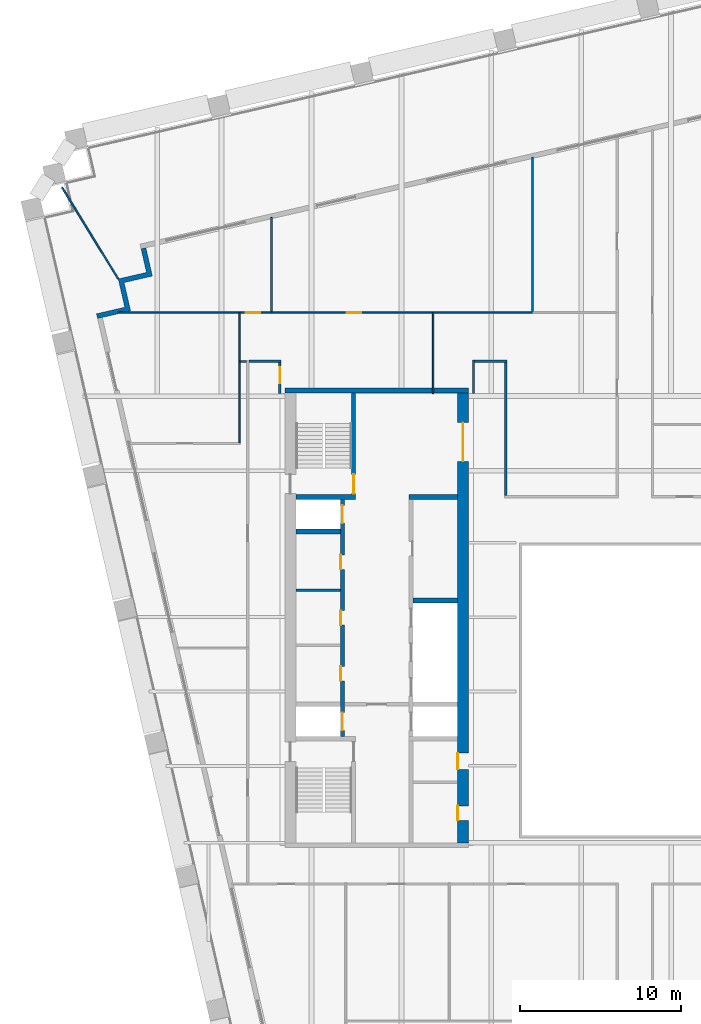
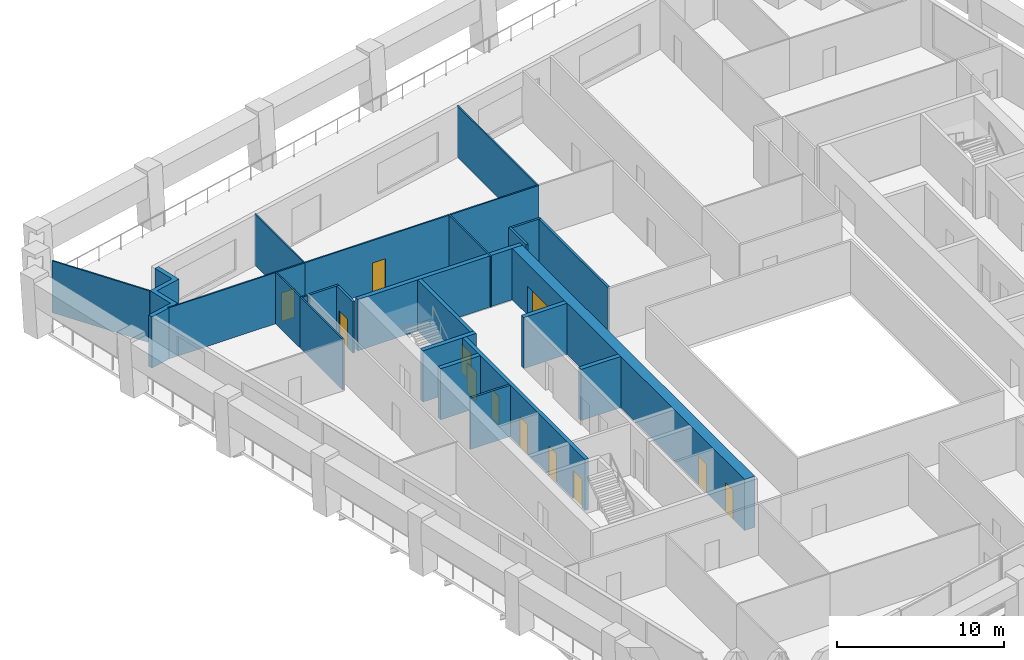
# One storey, part 9 of 14: 26 walls, 12 doors, 12 openings.
"""IFC4 building model written with IfcOpenShell, lengths in metres."""

from ifc_helpers import new_model, si_unit, direction, frame, frame_2d, origin, place, context, subcontext, project, spatial, polyline, rectangle, outline, extrude, material, layer, layer_set, type_object, element, fill, save


model = new_model("IFC4")

# Units and contexts
model_context = context("Model", 3, precision=1e-05, world=origin(), true_north=direction((0.0, 1.0)))
body_context = subcontext(model_context, "Body", "Model", "MODEL_VIEW")
ifc_project = project(units=[si_unit("LENGTHUNIT", "METRE"), si_unit("AREAUNIT", "SQUARE_METRE"), si_unit("VOLUMEUNIT", "CUBIC_METRE"), si_unit("PLANEANGLEUNIT", "RADIAN"), si_unit("MASSUNIT", "GRAM", prefix="KILO")], contexts=[model_context])

# Site, building, storey
site_placement = place(None, origin())
site = spatial("IfcSite", under=ifc_project, at=site_placement, CompositionType="ELEMENT")
building_placement = place(site_placement, origin())
building = spatial("IfcBuilding", under=site, at=building_placement, Name="Ogive Exchange Tower", CompositionType="ELEMENT")
storey_placement = place(building_placement, frame((0.0, 0.0, 222.0)))
storey = spatial("IfcBuildingStorey", under=building, at=storey_placement, Name="L49", CompositionType="ELEMENT", Elevation=222.0)

# Walls
ifc_material_1 = material(Name="Gypsum board partition")
ifc_layer_1 = layer(ifc_material_1, 0.14990234375)
ifc_layer_set_1 = layer_set([ifc_layer_1], Name="Core room partition 150 gypsum")
wall_type_1 = type_object("IfcWallType", Name="Core room partition 150 gypsum", PredefinedType="PARTITIONING", material=ifc_layer_set_1)
wall_1_placement = place(storey_placement, frame((-21.0, 13.199951171875, 0.0), z_axis=(0.0, 0.0, 1.0), x_axis=(1.0, 0.0, 0.0)))
element("IfcWall", 1, at=wall_1_placement, inside=storey, type_object=wall_type_1, Name="W row A bay partition 1-2", PredefinedType="PARTITIONING", context=body_context, shape_type="SweptSolid", body=[
    extrude(rectangle(XDim=2.75, YDim=0.14990234375, at=frame_2d((1.375, 0.0))), origin(), (0.0, 0.0, 1.0), 3.75),
])
ifc_layer_2 = layer(ifc_material_1, 0.300048828125)
ifc_layer_set_2 = layer_set([ifc_layer_2], Name="Core room partition 300 gypsum")
wall_type_2 = type_object("IfcWallType", Name="Core room partition 300 gypsum", PredefinedType="PARTITIONING", material=ifc_layer_set_2)
wall_2_placement = place(storey_placement, frame((-14.0, 19.0, 0.0), z_axis=(0.0, 0.0, 1.0), x_axis=(1.0, 0.0, 0.0)))
element("IfcWall", 2, at=wall_2_placement, inside=storey, type_object=wall_type_2, Name="W row B room end wall 7", PredefinedType="PARTITIONING", context=body_context, shape_type="SweptSolid", body=[
    extrude(rectangle(XDim=3.0, YDim=0.300048828125, at=frame_2d((1.5, 0.0))), origin(), (0.0, 0.0, 1.0), 3.75),
])
ifc_material_2 = material(Name="Fire partition EI 60 150")
ifc_layer_3 = layer(ifc_material_2, 0.14990234375)
ifc_layer_set_3 = layer_set([ifc_layer_3], Name="Fire partition EI 60 150")
wall_type_3 = type_object("IfcWallType", Name="Fire partition EI 60 150", PredefinedType="PARTITIONING", material=ifc_layer_set_3)
wall_3_placement = place(storey_placement, frame((-23.925048828125, 27.39990234375, 0.0), z_axis=(0.0, 0.0, 1.0), x_axis=(1.0, 0.0, 0.0)))
element("IfcWall", 3, at=wall_3_placement, inside=storey, type_object=wall_type_3, Name="L49-PWL-010", PredefinedType="PARTITIONING", context=body_context, shape_type="SweptSolid", body=[
    extrude(rectangle(XDim=2.0, YDim=0.14990234375, at=frame_2d((1.0, 0.0))), origin(), (0.0, 0.0, 1.0), 3.75),
])

# Wall, opening, door
wall_4_placement = place(storey_placement, frame((-22.0, 27.324951171875, 0.0), z_axis=(0.0, 0.0, 1.0), x_axis=(0.0, -1.0, 0.0)))
wall_4 = element("IfcWall", 4, at=wall_4_placement, inside=storey, type_object=wall_type_3, Name="L49-PWL-013", PredefinedType="PARTITIONING", context=body_context, shape_type="SweptSolid", body=[
    extrude(rectangle(XDim=1.925048828125, YDim=0.14990234375, at=frame_2d((0.96240234375, 0.0))), origin(), (0.0, 0.0, 1.0), 3.75),
])
opening_1_placement = place(wall_4_placement, frame((0.27490234375, 0.0, 0.0)))
opening_1 = element("IfcOpeningElement", 5, at=opening_1_placement, cuts=wall_4, Name="Opening L49-I06", PredefinedType="OPENING", context=body_context, shape_type="SweptSolid", body=[
    extrude(rectangle(XDim=1.0, YDim=2.10009765625, at=frame_2d((0.5, 1.050048828125))), frame((0.0, 0.0849609375, 0.0), z_axis=(0.0, -1.0, 0.0), x_axis=(1.0, 0.0, 0.0)), (0.0, 0.0, 1.0), 0.169921875),
])
ifc_material_3 = material(Name="Fire door FD 30S 1000 x 2100")
door_type_1 = type_object("IfcDoorType", Name="Fire door FD 30S 1000 x 2100", OperationType="NOTDEFINED", PredefinedType="DOOR", material=ifc_material_3)
door_1_placement = place(opening_1_placement, origin())
door_1 = element("IfcDoor", 6, at=door_1_placement, inside=storey, type_object=door_type_1, Name="L49-IDR-006", ObjectType="DT3", OperationType="SINGLE_SWING_RIGHT", OverallHeight=2.10009765625, OverallWidth=1.0, PredefinedType="DOOR", context=body_context, shape_type="SweptSolid", body=[
    extrude(rectangle(XDim=1.0, YDim=2.10009765625, at=frame_2d((0.5, 1.050048828125))), frame((0.0, 0.02490234375, 0.0), z_axis=(0.0, -1.0, 0.0), x_axis=(1.0, 0.0, 0.0)), (0.0, 0.0, 1.0), 0.050048828125),
])
fill(opening_1, door_1)

# Walls
wall_5_placement = place(storey_placement, frame((-10.0, 25.39990234375, 0.0), z_axis=(0.0, 0.0, 1.0), x_axis=(0.0, 1.0, 0.0)))
element("IfcWall", 7, at=wall_5_placement, inside=storey, type_object=wall_type_3, Name="L49-PWL-024", PredefinedType="PARTITIONING", context=body_context, shape_type="SweptSolid", body=[
    extrude(rectangle(XDim=2.0751953125, YDim=0.14990234375, at=frame_2d((1.03759765625, 0.0))), origin(), (0.0, 0.0, 1.0), 3.75),
])
wall_6_placement = place(storey_placement, frame((-9.925048828125, 27.39990234375, 0.0), z_axis=(0.0, 0.0, 1.0), x_axis=(1.0, 0.0, 0.0)))
element("IfcWall", 8, at=wall_6_placement, inside=storey, type_object=wall_type_3, Name="L49-PWL-025", PredefinedType="PARTITIONING", context=body_context, shape_type="SweptSolid", body=[
    extrude(rectangle(XDim=2.0, YDim=0.14990234375, at=frame_2d((1.0, 0.0))), origin(), (0.0, 0.0, 1.0), 3.75),
])
wall_7_placement = place(storey_placement, frame((-8.0, 27.324951171875, 0.0), z_axis=(0.0, 0.0, 1.0), x_axis=(0.0, -1.0, 0.0)))
element("IfcWall", 9, at=wall_7_placement, inside=storey, type_object=wall_type_3, Name="L49-PWL-027", PredefinedType="PARTITIONING", context=body_context, shape_type="SweptSolid", body=[
    extrude(rectangle(XDim=8.25, YDim=0.14990234375, at=frame_2d((4.125, 0.0))), origin(), (0.0, 0.0, 1.0), 3.75),
])
ifc_material_4 = material(Name="Precast concrete C40/50", Category="concrete")
ifc_layer_4 = layer(ifc_material_4, 0.300048828125)
ifc_layer_set_4 = layer_set([ifc_layer_4], Name="Limestone-faced wall 300")
wall_type_4 = type_object("IfcWallType", Name="Limestone-faced wall 300", PredefinedType="STANDARD", material=ifc_layer_set_4)
wall_8_placement = place(storey_placement, origin())
element("IfcWall", 10, at=wall_8_placement, inside=storey, type_object=wall_type_4, Name="External corner wall C3", PredefinedType="STANDARD", context=body_context, shape_type="SweptSolid", body=[
    extrude(outline(polyline([(-31.616943359375, 30.755615234375), (-32.02197265625, 32.509521484375), (-30.26806640625, 32.914306640625), (-30.60546875, 34.3759765625), (-30.31298828125, 34.443359375), (-29.908203125, 32.689697265625), (-31.662109375, 32.28466796875), (-31.257080078125, 30.53076171875), (-33.30322265625, 30.058349609375), (-33.370849609375, 30.3505859375), (-31.616943359375, 30.755615234375)])), origin(), (0.0, 0.0, 1.0), 3.75),
])
ifc_material_5 = material(Name="Laminated safety glass in steel frame", Category="steel")
ifc_layer_5 = layer(ifc_material_5, 0.10009765625)
ifc_layer_set_5 = layer_set([ifc_layer_5], Name="Loggia end screen 100")
wall_type_5 = type_object("IfcWallType", Name="Loggia end screen 100", PredefinedType="STANDARD", material=ifc_layer_set_5)
wall_9_placement = place(storey_placement, frame((-32.02197265625, 32.509521484375, -0.050048828125), z_axis=(0.0, 0.0, 1.0), x_axis=(-0.523700799975, 0.851902266757, 0.0)))
element("IfcWall", 11, at=wall_9_placement, inside=storey, type_object=wall_type_5, Name="Loggia end screen C3", PredefinedType="STANDARD", context=body_context, shape_type="SweptSolid", body=[
    extrude(rectangle(XDim=6.66357421875, YDim=0.10009765625, at=frame_2d((3.331787109375, 0.0))), origin(), (0.0, 0.0, 1.0), 3.800048828125),
])
ifc_material_6 = material(Name="Partition 100 gypsum")
ifc_layer_6 = layer(ifc_material_6, 0.10009765625)
ifc_layer_set_6 = layer_set([ifc_layer_6], Name="Partition 100 gypsum")
wall_type_6 = type_object("IfcWallType", Name="Partition 100 gypsum", PredefinedType="PARTITIONING", material=ifc_layer_set_6)
wall_10_placement = place(storey_placement, frame((-24.5, 22.360107421875, 0.0), z_axis=(0.0, 0.0, 1.0), x_axis=(0.0, 1.0, 0.0)))
element("IfcWall", 12, at=wall_10_placement, inside=storey, type_object=wall_type_6, Name="L49-PWL-003", PredefinedType="PARTITIONING", context=body_context, shape_type="SweptSolid", body=[
    extrude(rectangle(XDim=5.079833984375, YDim=0.10009765625, at=frame_2d((2.5400390625, 0.0))), origin(), (0.0, 0.0, 1.0), 3.75),
])
wall_11_placement = place(storey_placement, frame((-24.5, 27.43994140625, 0.0), z_axis=(0.0, 0.0, 1.0), x_axis=(0.0, 1.0, 0.0)))
element("IfcWall", 13, at=wall_11_placement, inside=storey, type_object=wall_type_6, Name="L49-PWL-004", PredefinedType="PARTITIONING", context=body_context, shape_type="SweptSolid", body=[
    extrude(rectangle(XDim=3.030029296875, YDim=0.10009765625, at=frame_2d((1.51513671875, 0.0))), origin(), (0.0, 0.0, 1.0), 3.75),
])
wall_12_placement = place(storey_placement, frame((-24.550048828125, 30.419921875, 0.0), z_axis=(0.0, 0.0, 1.0), x_axis=(-1.0, 0.0, 0.0)))
element("IfcWall", 14, at=wall_12_placement, inside=storey, type_object=wall_type_6, Name="L49-PWL-005", PredefinedType="PARTITIONING", context=body_context, shape_type="SweptSolid", body=[
    extrude(rectangle(XDim=7.431884765625, YDim=0.10009765625, at=frame_2d((3.7158203125, 0.0))), origin(), (0.0, 0.0, 1.0), 3.75),
])
wall_13_placement = place(storey_placement, frame((-24.074951171875, 27.389892578125, 0.0), z_axis=(0.0, 0.0, 1.0), x_axis=(-1.0, 0.0, 0.0)))
element("IfcWall", 15, at=wall_13_placement, inside=storey, type_object=wall_type_6, Name="L49-PWL-009", PredefinedType="PARTITIONING", context=body_context, shape_type="SweptSolid", body=[
    extrude(rectangle(XDim=0.375, YDim=0.10009765625, at=frame_2d((0.1875, 0.0))), origin(), (0.0, 0.0, 1.0), 3.75),
])

# Wall, opening, door
wall_14_placement = place(storey_placement, frame((-22.52001953125, 30.419921875, 0.0), z_axis=(0.0, 0.0, 1.0), x_axis=(-1.0, 0.0, 0.0)))
wall_14 = element("IfcWall", 16, at=wall_14_placement, inside=storey, type_object=wall_type_6, Name="L49-PWL-011", PredefinedType="PARTITIONING", context=body_context, shape_type="SweptSolid", body=[
    extrude(rectangle(XDim=1.929931640625, YDim=0.10009765625, at=frame_2d((0.96484375, 0.0))), origin(), (0.0, 0.0, 1.0), 3.75),
])
opening_2_placement = place(wall_14_placement, frame((0.699951171875, 0.0, 0.0)))
opening_2 = element("IfcOpeningElement", 17, at=opening_2_placement, cuts=wall_14, Name="Opening L49-I03", PredefinedType="OPENING", context=body_context, shape_type="SweptSolid", body=[
    extrude(rectangle(XDim=0.89990234375, YDim=2.10009765625, at=frame_2d((0.449951171875, 1.050048828125))), frame((0.0, 0.06005859375, 0.0), z_axis=(0.0, -1.0, 0.0), x_axis=(1.0, 0.0, 0.0)), (0.0, 0.0, 1.0), 0.1201171875),
])
ifc_material_7 = material(Name="Door 900 x 2100")
door_type_2 = type_object("IfcDoorType", Name="Door 900 x 2100", OperationType="NOTDEFINED", PredefinedType="DOOR", material=ifc_material_7)
door_2_placement = place(opening_2_placement, frame((0.89990234375, 0.0, 0.0), z_axis=(0.0, 0.0, 1.0), x_axis=(-1.0, 0.0, 0.0)))
door_2 = element("IfcDoor", 18, at=door_2_placement, inside=storey, type_object=door_type_2, Name="L49-IDR-003", ObjectType="DT1", OperationType="SINGLE_SWING_LEFT", OverallHeight=2.10009765625, OverallWidth=0.89990234375, PredefinedType="DOOR", context=body_context, shape_type="SweptSolid", body=[
    extrude(rectangle(XDim=0.89990234375, YDim=2.10009765625, at=frame_2d((0.449951171875, 1.050048828125))), frame((0.0, 0.02490234375, 0.0), z_axis=(0.0, -1.0, 0.0), x_axis=(1.0, 0.0, 0.0)), (0.0, 0.0, 1.0), 0.050048828125),
])
fill(opening_2, door_2)

# Walls
wall_15_placement = place(storey_placement, frame((-22.52001953125, 30.469970703125, 0.0), z_axis=(0.0, 0.0, 1.0), x_axis=(0.0, 1.0, 0.0)))
element("IfcWall", 19, at=wall_15_placement, inside=storey, type_object=wall_type_6, Name="L49-PWL-012", PredefinedType="PARTITIONING", context=body_context, shape_type="SweptSolid", body=[
    extrude(rectangle(XDim=5.85498046875, YDim=0.10009765625, at=frame_2d((2.927490234375, 0.0))), origin(), (0.0, 0.0, 1.0), 3.75),
])
wall_16_placement = place(storey_placement, frame((-12.5, 25.39990234375, 0.0), z_axis=(0.0, 0.0, 1.0), x_axis=(0.0, 1.0, 0.0)))
element("IfcWall", 20, at=wall_16_placement, inside=storey, type_object=wall_type_6, Name="L49-PWL-018", PredefinedType="PARTITIONING", context=body_context, shape_type="SweptSolid", body=[
    extrude(rectangle(XDim=5.070068359375, YDim=0.10009765625, at=frame_2d((2.53515625, 0.0))), origin(), (0.0, 0.0, 1.0), 3.75),
])

# Wall, opening, door
wall_17_placement = place(storey_placement, frame((-12.550048828125, 30.419921875, 0.0), z_axis=(0.0, 0.0, 1.0), x_axis=(-1.0, 0.0, 0.0)))
wall_17 = element("IfcWall", 21, at=wall_17_placement, inside=storey, type_object=wall_type_6, Name="L49-PWL-019", PredefinedType="PARTITIONING", context=body_context, shape_type="SweptSolid", body=[
    extrude(rectangle(XDim=9.969970703125, YDim=0.10009765625, at=frame_2d((4.98486328125, 0.0))), origin(), (0.0, 0.0, 1.0), 3.75),
])
opening_3_placement = place(wall_17_placement, frame((4.39990234375, 0.0, 0.0)))
opening_3 = element("IfcOpeningElement", 22, at=opening_3_placement, cuts=wall_17, Name="Opening L49-I02", PredefinedType="OPENING", context=body_context, shape_type="SweptSolid", body=[
    extrude(rectangle(XDim=0.89990234375, YDim=2.10009765625, at=frame_2d((0.449951171875, 1.050048828125))), frame((0.0, 0.06005859375, 0.0), z_axis=(0.0, -1.0, 0.0), x_axis=(1.0, 0.0, 0.0)), (0.0, 0.0, 1.0), 0.1201171875),
])
door_3_placement = place(opening_3_placement, origin())
door_3 = element("IfcDoor", 23, at=door_3_placement, inside=storey, type_object=door_type_2, Name="L49-IDR-002", ObjectType="DT1", OperationType="SINGLE_SWING_RIGHT", OverallHeight=2.10009765625, OverallWidth=0.89990234375, PredefinedType="DOOR", context=body_context, shape_type="SweptSolid", body=[
    extrude(rectangle(XDim=0.89990234375, YDim=2.10009765625, at=frame_2d((0.449951171875, 1.050048828125))), frame((0.0, 0.02490234375, 0.0), z_axis=(0.0, -1.0, 0.0), x_axis=(1.0, 0.0, 0.0)), (0.0, 0.0, 1.0), 0.050048828125),
])
fill(opening_3, door_3)

# Walls
wall_18_placement = place(storey_placement, frame((-6.2900390625, 30.419921875, 0.0), z_axis=(0.0, 0.0, 1.0), x_axis=(-1.0, 0.0, 0.0)))
element("IfcWall", 24, at=wall_18_placement, inside=storey, type_object=wall_type_6, Name="L49-PWL-028", PredefinedType="PARTITIONING", context=body_context, shape_type="SweptSolid", body=[
    extrude(rectangle(XDim=6.159912109375, YDim=0.10009765625, at=frame_2d((3.080078125, 0.0))), origin(), (0.0, 0.0, 1.0), 3.75),
])
wall_19_placement = place(storey_placement, frame((-6.340087890625, 30.469970703125, 0.0), z_axis=(0.0, 0.0, 1.0), x_axis=(0.0, 1.0, 0.0)))
element("IfcWall", 25, at=wall_19_placement, inside=storey, type_object=wall_type_6, Name="L49-PWL-029", PredefinedType="PARTITIONING", context=body_context, shape_type="SweptSolid", body=[
    extrude(rectangle(XDim=9.591064453125, YDim=0.10009765625, at=frame_2d((4.79541015625, 0.0))), origin(), (0.0, 0.0, 1.0), 3.75),
])

# Wall, opening, door
ifc_material_8 = material(Name="Concrete C70/85", Category="concrete")
ifc_layer_7 = layer(ifc_material_8, 0.25)
ifc_layer_set_7 = layer_set([ifc_layer_7], Name="RC core wall 250 C70/85")
wall_type_7 = type_object("IfcWallType", Name="RC core wall 250 C70/85", PredefinedType="SHEAR", material=ifc_layer_set_7)
wall_20_placement = place(storey_placement, frame((-17.425048828125, 19.14990234375, 0.0), z_axis=(0.0, 0.0, 1.0), x_axis=(0.0, 1.0, 0.0)))
wall_20 = element("IfcWall", 26, at=wall_20_placement, inside=storey, type_object=wall_type_7, Name="W stair N front wall", PredefinedType="SHEAR", context=body_context, shape_type="SweptSolid", body=[
    extrude(rectangle(XDim=6.300048828125, YDim=0.25, at=frame_2d((3.14990234375, 0.0))), origin(), (0.0, 0.0, 1.0), 3.75),
])
opening_4_placement = place(wall_20_placement, frame((0.050048828125, 0.0, 0.0)))
opening_4 = element("IfcOpeningElement", 27, at=opening_4_placement, cuts=wall_20, Name="Opening L49-C15", PredefinedType="OPENING", context=body_context, shape_type="SweptSolid", body=[
    extrude(rectangle(XDim=1.199951171875, YDim=2.10009765625, at=frame_2d((0.60009765625, 1.050048828125))), frame((0.0, 0.135009765625, 0.0), z_axis=(0.0, -1.0, 0.0), x_axis=(1.0, 0.0, 0.0)), (0.0, 0.0, 1.0), 0.27001953125),
])
ifc_material_9 = material(Name="Steel fire door", Category="steel")
door_type_3 = type_object("IfcDoorType", Name="Stair door FD90 1200 x 2100", OperationType="NOTDEFINED", PredefinedType="DOOR", material=ifc_material_9)
door_4_placement = place(opening_4_placement, origin())
door_4 = element("IfcDoor", 28, at=door_4_placement, inside=storey, type_object=door_type_3, Name="Stair door", ObjectType="CD5", OperationType="SINGLE_SWING_RIGHT", OverallHeight=2.10009765625, OverallWidth=1.199951171875, PredefinedType="DOOR", context=body_context, shape_type="SweptSolid", body=[
    extrude(rectangle(XDim=1.199951171875, YDim=2.10009765625, at=frame_2d((0.60009765625, 1.050048828125))), frame((0.0, 0.02490234375, 0.0), z_axis=(0.0, -1.0, 0.0), x_axis=(1.0, 0.0, 0.0)), (0.0, 0.0, 1.0), 0.050048828125),
])
fill(opening_4, door_4)

# Wall, openings, doors
wall_21_placement = place(storey_placement, frame((-18.125, 4.14990234375, 0.0), z_axis=(0.0, 0.0, 1.0), x_axis=(0.0, 1.0, 0.0)))
wall_21 = element("IfcWall", 29, at=wall_21_placement, inside=storey, type_object=wall_type_7, Name="W row A front wall", PredefinedType="SHEAR", context=body_context, shape_type="SweptSolid", body=[
    extrude(rectangle(XDim=14.7001953125, YDim=0.25, at=frame_2d((7.35009765625, 0.0))), origin(), (0.0, 0.0, 1.0), 3.75),
])
opening_5_placement = place(wall_21_placement, frame((3.4462890625, 0.0, 0.0)))
opening_5 = element("IfcOpeningElement", 30, at=opening_5_placement, cuts=wall_21, Name="Opening L49-C01", PredefinedType="OPENING", context=body_context, shape_type="SweptSolid", body=[
    extrude(rectangle(XDim=0.89990234375, YDim=2.10009765625, at=frame_2d((0.449951171875, 1.050048828125))), frame((0.0, 0.135009765625, 0.0), z_axis=(0.0, -1.0, 0.0), x_axis=(1.0, 0.0, 0.0)), (0.0, 0.0, 1.0), 0.27001953125),
])
opening_6_placement = place(wall_21_placement, frame((6.89990234375, 0.0, 0.0)))
opening_6 = element("IfcOpeningElement", 31, at=opening_6_placement, cuts=wall_21, Name="Opening L49-C02", PredefinedType="OPENING", context=body_context, shape_type="SweptSolid", body=[
    extrude(rectangle(XDim=0.89990234375, YDim=2.10009765625, at=frame_2d((0.449951171875, 1.050048828125))), frame((0.0, 0.135009765625, 0.0), z_axis=(0.0, -1.0, 0.0), x_axis=(1.0, 0.0, 0.0)), (0.0, 0.0, 1.0), 0.27001953125),
])
opening_7_placement = place(wall_21_placement, frame((10.353515625, 0.0, 0.0)))
opening_7 = element("IfcOpeningElement", 32, at=opening_7_placement, cuts=wall_21, Name="Opening L49-C03", PredefinedType="OPENING", context=body_context, shape_type="SweptSolid", body=[
    extrude(rectangle(XDim=0.89990234375, YDim=2.10009765625, at=frame_2d((0.449951171875, 1.050048828125))), frame((0.0, 0.135009765625, 0.0), z_axis=(0.0, -1.0, 0.0), x_axis=(1.0, 0.0, 0.0)), (0.0, 0.0, 1.0), 0.27001953125),
])
opening_8_placement = place(wall_21_placement, frame((0.371337890625, 0.0, 0.0)))
opening_8 = element("IfcOpeningElement", 33, at=opening_8_placement, cuts=wall_21, Name="Opening L49-C04", PredefinedType="OPENING", context=body_context, shape_type="SweptSolid", body=[
    extrude(rectangle(XDim=1.10009765625, YDim=2.10009765625, at=frame_2d((0.550048828125, 1.050048828125))), frame((0.0, 0.135009765625, 0.0), z_axis=(0.0, -1.0, 0.0), x_axis=(1.0, 0.0, 0.0)), (0.0, 0.0, 1.0), 0.27001953125),
])
opening_9_placement = place(wall_21_placement, frame((13.228515625, 0.0, 0.0)))
opening_9 = element("IfcOpeningElement", 34, at=opening_9_placement, cuts=wall_21, Name="Opening L49-C05", PredefinedType="OPENING", context=body_context, shape_type="SweptSolid", body=[
    extrude(rectangle(XDim=1.10009765625, YDim=2.10009765625, at=frame_2d((0.550048828125, 1.050048828125))), frame((0.0, 0.135009765625, 0.0), z_axis=(0.0, -1.0, 0.0), x_axis=(1.0, 0.0, 0.0)), (0.0, 0.0, 1.0), 0.27001953125),
])
ifc_material_10 = material(Name="Timber fire door", Category="wood")
door_type_4 = type_object("IfcDoorType", Name="Core room door FD30S 900 x 2100", OperationType="NOTDEFINED", PredefinedType="DOOR", material=ifc_material_10)
door_5_placement = place(opening_7_placement, origin())
door_5 = element("IfcDoor", 35, at=door_5_placement, inside=storey, type_object=door_type_4, Name="Core room door", ObjectType="CD6", OperationType="SINGLE_SWING_RIGHT", OverallHeight=2.10009765625, OverallWidth=0.89990234375, PredefinedType="DOOR", context=body_context, shape_type="SweptSolid", body=[
    extrude(rectangle(XDim=0.89990234375, YDim=2.10009765625, at=frame_2d((0.449951171875, 1.050048828125))), frame((0.0, 0.125, 0.0), z_axis=(0.0, -1.0, 0.0), x_axis=(1.0, 0.0, 0.0)), (0.0, 0.0, 1.0), 0.050048828125),
])
fill(opening_7, door_5)
ifc_material_11 = material(Name="Stainless steel", Category="steel")
door_type_5 = type_object("IfcDoorType", Name="Lift landing door FD90 1100 x 2100", OperationType="SLIDING_TO_LEFT", PredefinedType="DOOR", material=ifc_material_11)
door_6_placement = place(opening_8_placement, origin())
door_6 = element("IfcDoor", 36, at=door_6_placement, inside=storey, type_object=door_type_5, Name="Lift landing door FF1", ObjectType="LD", OperationType="SLIDING_TO_LEFT", OverallHeight=2.10009765625, OverallWidth=1.10009765625, PredefinedType="DOOR", context=body_context, shape_type="SweptSolid", body=[
    extrude(rectangle(XDim=1.10009765625, YDim=2.10009765625, at=frame_2d((0.550048828125, 1.050048828125))), frame((0.0, 0.02490234375, 0.0), z_axis=(0.0, -1.0, 0.0), x_axis=(1.0, 0.0, 0.0)), (0.0, 0.0, 1.0), 0.050048828125),
])
fill(opening_8, door_6)
door_7_placement = place(opening_9_placement, origin())
door_7 = element("IfcDoor", 37, at=door_7_placement, inside=storey, type_object=door_type_5, Name="Lift landing door W-SH2", ObjectType="LD", OperationType="SLIDING_TO_LEFT", OverallHeight=2.10009765625, OverallWidth=1.10009765625, PredefinedType="DOOR", context=body_context, shape_type="SweptSolid", body=[
    extrude(rectangle(XDim=1.10009765625, YDim=2.10009765625, at=frame_2d((0.550048828125, 1.050048828125))), frame((0.0, 0.02490234375, 0.0), z_axis=(0.0, -1.0, 0.0), x_axis=(1.0, 0.0, 0.0)), (0.0, 0.0, 1.0), 0.050048828125),
])
fill(opening_9, door_7)
door_type_6 = type_object("IfcDoorType", Name="Riser door FD60 900 x 2100", OperationType="NOTDEFINED", PredefinedType="DOOR", material=ifc_material_9)
door_8_placement = place(opening_5_placement, origin())
door_8 = element("IfcDoor", 38, at=door_8_placement, inside=storey, type_object=door_type_6, Name="Riser door", ObjectType="CD2", OperationType="SINGLE_SWING_RIGHT", OverallHeight=2.10009765625, OverallWidth=0.89990234375, PredefinedType="DOOR", context=body_context, shape_type="SweptSolid", body=[
    extrude(rectangle(XDim=0.89990234375, YDim=2.10009765625, at=frame_2d((0.449951171875, 1.050048828125))), frame((0.0, 0.125, 0.0), z_axis=(0.0, -1.0, 0.0), x_axis=(1.0, 0.0, 0.0)), (0.0, 0.0, 1.0), 0.050048828125),
])
fill(opening_5, door_8)
door_9_placement = place(opening_6_placement, origin())
door_9 = element("IfcDoor", 39, at=door_9_placement, inside=storey, type_object=door_type_6, Name="Riser door", ObjectType="CD2", OperationType="SINGLE_SWING_RIGHT", OverallHeight=2.10009765625, OverallWidth=0.89990234375, PredefinedType="DOOR", context=body_context, shape_type="SweptSolid", body=[
    extrude(rectangle(XDim=0.89990234375, YDim=2.10009765625, at=frame_2d((0.449951171875, 1.050048828125))), frame((0.0, 0.125, 0.0), z_axis=(0.0, -1.0, 0.0), x_axis=(1.0, 0.0, 0.0)), (0.0, 0.0, 1.0), 0.050048828125),
])
fill(opening_6, door_9)

# Walls
ifc_layer_8 = layer(ifc_material_8, 0.300048828125)
ifc_layer_set_8 = layer_set([ifc_layer_8], Name="RC core wall 300 C70/85")
wall_type_8 = type_object("IfcWallType", Name="RC core wall 300 C70/85", PredefinedType="SHEAR", material=ifc_layer_set_8)
wall_22_placement = place(storey_placement, frame((-21.699951171875, 25.60009765625, 0.0), z_axis=(0.0, 0.0, 1.0), x_axis=(1.0, 0.0, 0.0)))
element("IfcWall", 40, at=wall_22_placement, inside=storey, type_object=wall_type_8, Name="W north end wall", PredefinedType="SHEAR", context=body_context, shape_type="SweptSolid", body=[
    extrude(rectangle(XDim=11.39990234375, YDim=0.300048828125, at=frame_2d((5.699951171875, 0.0))), origin(), (0.0, 0.0, 1.0), 3.75),
])
wall_23_placement = place(storey_placement, frame((-21.0, 19.0, 0.0), z_axis=(0.0, 0.0, 1.0), x_axis=(1.0, 0.0, 0.0)))
element("IfcWall", 41, at=wall_23_placement, inside=storey, type_object=wall_type_8, Name="W stair N south wall", PredefinedType="SHEAR", context=body_context, shape_type="SweptSolid", body=[
    extrude(rectangle(XDim=3.699951171875, YDim=0.300048828125, at=frame_2d((1.85009765625, 0.0))), origin(), (0.0, 0.0, 1.0), 3.75),
])
for number, where, z_axis, x_axis, name in (
    (42, (-21.0, 16.857177734375, 0.0), (0.0, 0.0, 1.0), (1.0, 0.0, 0.0), "W row A divider 6"),
    (43, (-13.75, 12.5712890625, 0.0), (0.0, 0.0, 1.0), (1.0, 0.0, 0.0), "W row B divider 4"),
):
    element("IfcWall", number, at=place(storey_placement, frame(where, z_axis=z_axis, x_axis=x_axis)), inside=storey, type_object=wall_type_8, Name=name, PredefinedType="SHEAR", context=body_context, shape_type="SweptSolid", body=[
        extrude(rectangle(XDim=2.75, YDim=0.300048828125, at=frame_2d((1.375, 0.0))), origin(), (0.0, 0.0, 1.0), 3.75),
    ])

# Wall, openings, doors
ifc_layer_9 = layer(ifc_material_8, 0.699951171875)
ifc_layer_set_9 = layer_set([ifc_layer_9], Name="RC core wall 700 C70/85")
wall_type_9 = type_object("IfcWallType", Name="RC core wall 700 C70/85", PredefinedType="SHEAR", material=ifc_layer_set_9)
wall_24_placement = place(storey_placement, frame((-10.64990234375, -2.449951171875, 0.0), z_axis=(0.0, 0.0, 1.0), x_axis=(0.0, 1.0, 0.0)))
wall_24 = element("IfcWall", 44, at=wall_24_placement, inside=storey, type_object=wall_type_9, Name="W inner wall", PredefinedType="SHEAR", context=body_context, shape_type="SweptSolid", body=[
    extrude(rectangle(XDim=27.89990234375, YDim=0.699951171875, at=frame_2d((13.949951171875, 0.0))), origin(), (0.0, 0.0, 1.0), 3.75),
])
opening_10_placement = place(wall_24_placement, frame((23.64990234375, 0.0, 0.0)))
opening_10 = element("IfcOpeningElement", 45, at=opening_10_placement, cuts=wall_24, Name="Opening L49-C12", PredefinedType="OPENING", context=body_context, shape_type="SweptSolid", body=[
    extrude(rectangle(XDim=2.39990234375, YDim=2.10009765625, at=frame_2d((1.199951171875, 1.050048828125))), frame((0.0, 0.35986328125, 0.0), z_axis=(0.0, -1.0, 0.0), x_axis=(1.0, 0.0, 0.0)), (0.0, 0.0, 1.0), 0.719970703125),
])
opening_11_placement = place(wall_24_placement, frame((1.387451171875, 0.0, 0.0)))
opening_11 = element("IfcOpeningElement", 46, at=opening_11_placement, cuts=wall_24, Name="Opening L49-C17", PredefinedType="OPENING", context=body_context, shape_type="SweptSolid", body=[
    extrude(rectangle(XDim=0.89990234375, YDim=2.10009765625, at=frame_2d((0.449951171875, 1.050048828125))), frame((0.0, 0.35986328125, 0.0), z_axis=(0.0, -1.0, 0.0), x_axis=(1.0, 0.0, 0.0)), (0.0, 0.0, 1.0), 0.719970703125),
])
opening_12_placement = place(wall_24_placement, frame((4.5625, 0.0, 0.0)))
opening_12 = element("IfcOpeningElement", 47, at=opening_12_placement, cuts=wall_24, Name="Opening L49-C18", PredefinedType="OPENING", context=body_context, shape_type="SweptSolid", body=[
    extrude(rectangle(XDim=1.0, YDim=2.10009765625, at=frame_2d((0.5, 1.050048828125))), frame((0.0, 0.35986328125, 0.0), z_axis=(0.0, -1.0, 0.0), x_axis=(1.0, 0.0, 0.0)), (0.0, 0.0, 1.0), 0.719970703125),
])
door_type_7 = type_object("IfcDoorType", Name="Accessible WC door FD30S 1000 x 2100", OperationType="NOTDEFINED", PredefinedType="DOOR", material=ifc_material_10)
door_10_placement = place(opening_12_placement, origin())
door_10 = element("IfcDoor", 48, at=door_10_placement, inside=storey, type_object=door_type_7, Name="Accessible WC door", ObjectType="CD7", OperationType="SINGLE_SWING_LEFT", OverallHeight=2.10009765625, OverallWidth=1.0, PredefinedType="DOOR", context=body_context, shape_type="SweptSolid", body=[
    extrude(rectangle(XDim=1.0, YDim=2.10009765625, at=frame_2d((0.5, 1.050048828125))), frame((0.0, 0.35009765625, 0.0), z_axis=(0.0, -1.0, 0.0), x_axis=(1.0, 0.0, 0.0)), (0.0, 0.0, 1.0), 0.050048828125),
])
fill(opening_12, door_10)
door_11_placement = place(opening_11_placement, origin())
door_11 = element("IfcDoor", 49, at=door_11_placement, inside=storey, type_object=door_type_4, Name="Core room door", ObjectType="CD6", OperationType="SINGLE_SWING_RIGHT", OverallHeight=2.10009765625, OverallWidth=0.89990234375, PredefinedType="DOOR", context=body_context, shape_type="SweptSolid", body=[
    extrude(rectangle(XDim=0.89990234375, YDim=2.10009765625, at=frame_2d((0.449951171875, 1.050048828125))), frame((0.0, 0.35009765625, 0.0), z_axis=(0.0, -1.0, 0.0), x_axis=(1.0, 0.0, 0.0)), (0.0, 0.0, 1.0), 0.050048828125),
])
fill(opening_11, door_11)
ifc_material_12 = material(Name="Glazed steel fire door", Category="steel")
door_type_8 = type_object("IfcDoorType", Name="Lift lobby double door FD60 2400 x 2100", OperationType="DOUBLE_DOOR_SINGLE_SWING", PredefinedType="DOOR", material=ifc_material_12)
door_12_placement = place(opening_10_placement, frame((2.39990234375, 0.0, 0.0), z_axis=(0.0, 0.0, 1.0), x_axis=(-1.0, 0.0, 0.0)))
door_12 = element("IfcDoor", 50, at=door_12_placement, inside=storey, type_object=door_type_8, Name="Lift lobby double door", ObjectType="CD4", OperationType="DOUBLE_DOOR_SINGLE_SWING", OverallHeight=2.10009765625, OverallWidth=2.39990234375, PredefinedType="DOOR", context=body_context, shape_type="SweptSolid", body=[
    extrude(rectangle(XDim=2.39990234375, YDim=2.10009765625, at=frame_2d((1.199951171875, 1.050048828125))), frame((0.0, 0.02490234375, 0.0), z_axis=(0.0, -1.0, 0.0), x_axis=(1.0, 0.0, 0.0)), (0.0, 0.0, 1.0), 0.050048828125),
])
fill(opening_10, door_12)

save(model, "model.ifc")
